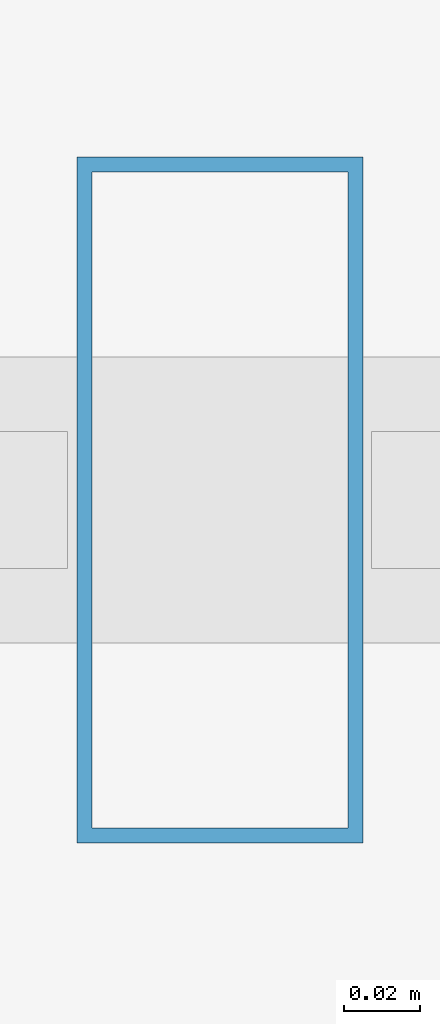
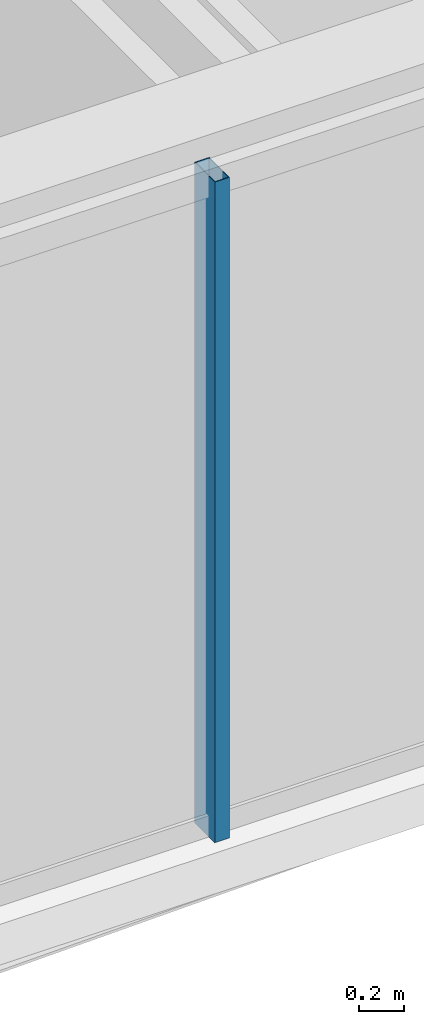
# One storey, part 9 of 32: 1 member, 1 element without a shape of its own.
"""IFC4 building model written with IfcOpenShell, lengths in metres."""

from ifc_helpers import new_model, si_unit, direction, frame, origin, origin_2d, place, context, subcontext, project, spatial, hollow_rectangle, extrude, material, layer, layer_set, material_profile, profile_set, type_object, element, aggregate, save


model = new_model("IFC4")

# Units and contexts
model_context = context("Model", 3, precision=1e-05, world=origin(), true_north=direction((0.0, 1.0)))
body_context = subcontext(model_context, "Body", "Model", "MODEL_VIEW")
ifc_project = project(units=[si_unit("LENGTHUNIT", "METRE"), si_unit("AREAUNIT", "SQUARE_METRE"), si_unit("VOLUMEUNIT", "CUBIC_METRE"), si_unit("PLANEANGLEUNIT", "RADIAN"), si_unit("MASSUNIT", "GRAM", prefix="KILO")], contexts=[model_context])

# Site, building, storey
site_placement = place(None, origin())
site = spatial("IfcSite", under=ifc_project, at=site_placement, CompositionType="ELEMENT")
building_placement = place(site_placement, origin())
building = spatial("IfcBuilding", under=site, at=building_placement, Name="Ndaravel Arena Tower", CompositionType="ELEMENT")
storey_placement = place(building_placement, frame((0.0, 0.0, 157.39990234375)))
storey = spatial("IfcBuildingStorey", under=building, at=storey_placement, Name="L37", CompositionType="ELEMENT", Elevation=157.39990234375)

# Curtain wall, member
ifc_material_1 = material(Name="Aluminium", Category="aluminium")
ifc_layer = layer(ifc_material_1, 0.179931640625)
ifc_layer_set = layer_set([ifc_layer], Name="Aluminium")
curtain_wall_type = type_object("IfcCurtainWallType", Name="CW-SYS-03", PredefinedType="NOTDEFINED", material=ifc_layer_set)
curtain_wall_placement = place(storey_placement, origin())
curtain_wall = element("IfcCurtainWall", 1, at=curtain_wall_placement, inside=storey, type_object=curtain_wall_type, Name="L37 Faceted Crystal Curtain Wall CW-L37-E01", PredefinedType="NOTDEFINED")
ifc_material_2 = material(Name="Aluminium", Category="aluminium")
ifc_material_profile = material_profile(ifc_material_2, hollow_rectangle(XDim=0.074951171875, YDim=0.179931640625, WallThickness=0.00390625, at=origin_2d()), Name="CW MULLION 75x180x4")
ifc_profile_set = profile_set([ifc_material_profile], Name="Aluminium")
member_type = type_object("IfcMemberType", Name="MEM-CW-MUL180", PredefinedType="MULLION", material=ifc_profile_set)
member_placement = place(storey_placement, frame((46.51904296875, 5.159912109375, 0.0), z_axis=(0.0, 0.0, 1.0), x_axis=(1.0, 0.0, 0.0)))
member = element("IfcMember", 2, at=member_placement, type_object=member_type, Name="CW-L37-E01 Mullion 05", PredefinedType="MULLION", context=body_context, shape_type="SweptSolid", body=[
    extrude(hollow_rectangle(XDim=0.074951171875, YDim=0.179931640625, WallThickness=0.00390625, at=origin_2d()), origin(), (0.0, 0.0, 1.0), 3.580078125),
])
aggregate(curtain_wall, [member])

save(model, "model.ifc")
